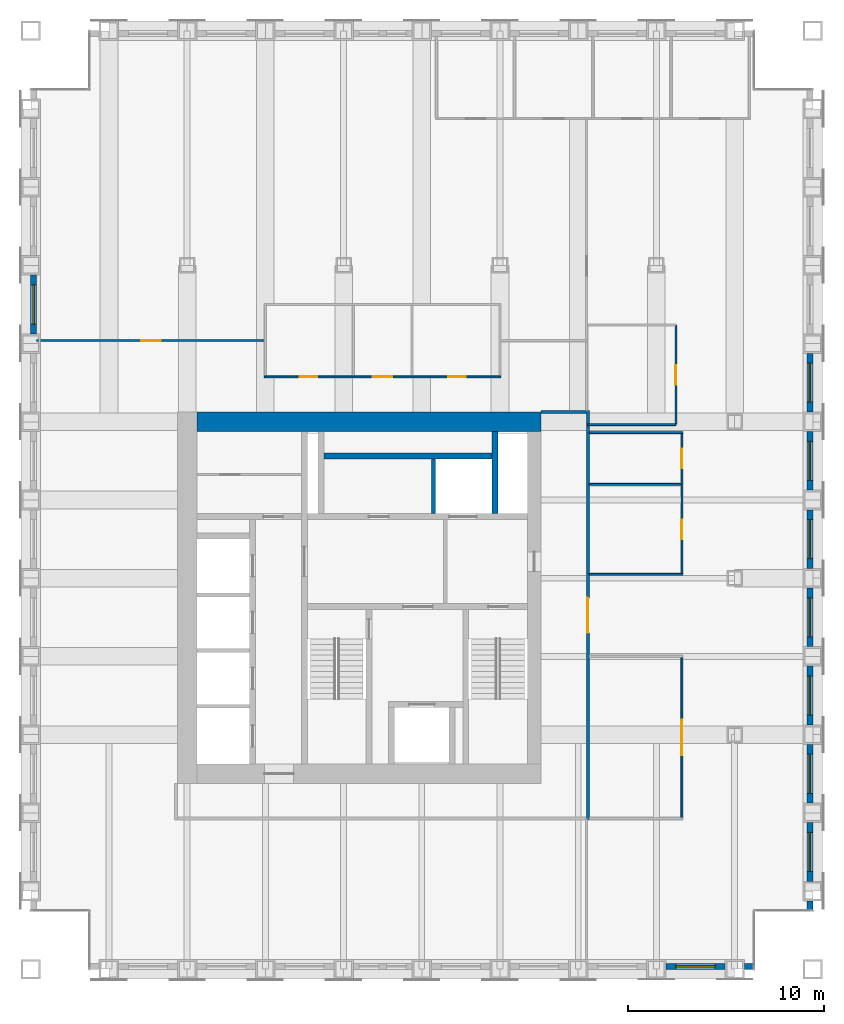
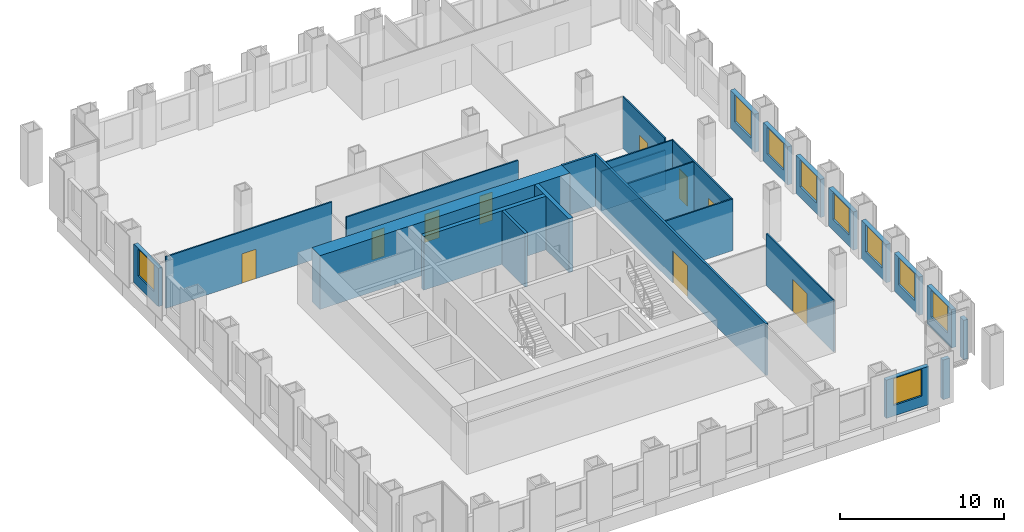
# One storey, part 10 of 13: 26 walls, 9 doors, 9 windows, 18 openings.
"""IFC4 building model written with IfcOpenShell, lengths in metres."""

from ifc_helpers import new_model, si_unit, direction, frame, frame_2d, origin, place, context, subcontext, project, spatial, rectangle, extrude, material, layer, layer_set, type_object, element, fill, save


model = new_model("IFC4")

# Units and contexts
model_context = context("Model", 3, precision=1e-05, world=origin(), true_north=direction((0.0, 1.0)))
body_context = subcontext(model_context, "Body", "Model", "MODEL_VIEW")
ifc_project = project(units=[si_unit("LENGTHUNIT", "METRE"), si_unit("AREAUNIT", "SQUARE_METRE"), si_unit("VOLUMEUNIT", "CUBIC_METRE"), si_unit("PLANEANGLEUNIT", "RADIAN"), si_unit("MASSUNIT", "GRAM", prefix="KILO")], contexts=[model_context])

# Site, building, storey
site_placement = place(None, origin())
site = spatial("IfcSite", under=ifc_project, at=site_placement, CompositionType="ELEMENT")
building_placement = place(site_placement, origin())
building = spatial("IfcBuilding", under=site, at=building_placement, Name="Rimbunsela Tower", CompositionType="ELEMENT")
storey_placement = place(building_placement, frame((0.0, 0.0, 222.199951171875)))
storey = spatial("IfcBuildingStorey", under=building, at=storey_placement, Name="L53", CompositionType="ELEMENT", Elevation=222.199951171875)

# Walls
ifc_material_1 = material(Name="Concrete fc' 80 MPa", Category="concrete")
ifc_layer_1 = layer(ifc_material_1, 0.300048828125)
ifc_layer_set_1 = layer_set([ifc_layer_1], Name="Core internal wall 300")
wall_type_1 = type_object("IfcWallType", Name="Core internal wall 300", PredefinedType="SHEAR", material=ifc_layer_set_1)
wall_1_placement = place(storey_placement, frame((33.75, 31.300048828125, -0.14990234375), z_axis=(0.0, 0.0, 1.0), x_axis=(0.0, 1.0, 0.0)))
element("IfcWall", 1, at=wall_1_placement, inside=storey, type_object=wall_type_1, Name="Riser wall", PredefinedType="SHEAR", context=body_context, shape_type="SweptSolid", body=[
    extrude(rectangle(XDim=4.199951171875, YDim=0.300048828125, at=frame_2d((2.10009765625, 0.0))), origin(), (0.0, 0.0, 1.0), 4.0),
])
wall_2_placement = place(storey_placement, frame((25.0, 34.25, -0.14990234375), z_axis=(0.0, 0.0, 1.0), x_axis=(1.0, 0.0, 0.0)))
element("IfcWall", 2, at=wall_2_placement, inside=storey, type_object=wall_type_1, Name="Lift shaft rear north", PredefinedType="SHEAR", context=body_context, shape_type="SweptSolid", body=[
    extrude(rectangle(XDim=8.60009765625, YDim=0.300048828125, at=frame_2d((4.300048828125, 0.0))), origin(), (0.0, 0.0, 1.0), 4.0),
])
ifc_material_2 = material(Name="Concrete fc' 80 MPa", Category="concrete")
ifc_layer_2 = layer(ifc_material_2, 1.0)
ifc_layer_set_2 = layer_set([ifc_layer_2], Name="Core wall 1000")
wall_type_2 = type_object("IfcWallType", Name="Core wall 1000", PredefinedType="SHEAR", material=ifc_layer_set_2)
wall_3_placement = place(storey_placement, frame((18.5, 36.0, -0.14990234375), z_axis=(0.0, 0.0, 1.0), x_axis=(1.0, 0.0, 0.0)))
element("IfcWall", 3, at=wall_3_placement, inside=storey, type_object=wall_type_2, Name="Core wall north", PredefinedType="SHEAR", context=body_context, shape_type="SweptSolid", body=[
    extrude(rectangle(XDim=17.60009765625, YDim=1.0, at=frame_2d((8.800048828125, 0.0))), origin(), (0.0, 0.0, 1.0), 4.0),
])
ifc_material_3 = material(Name="Concrete blockwork", Category="masonry")
ifc_layer_3 = layer(ifc_material_3, 0.199951171875)
ifc_layer_set_3 = layer_set([ifc_layer_3], Name="Lift shaft wall 200")
wall_type_3 = type_object("IfcWallType", Name="Lift shaft wall 200", PredefinedType="SOLIDWALL", material=ifc_layer_set_3)
wall_4_placement = place(storey_placement, frame((30.60009765625, 31.300048828125, -0.14990234375), z_axis=(0.0, 0.0, 1.0), x_axis=(0.0, 1.0, 0.0)))
element("IfcWall", 4, at=wall_4_placement, inside=storey, type_object=wall_type_3, Name="Lift shaft separation", PredefinedType="SOLIDWALL", context=body_context, shape_type="SweptSolid", body=[
    extrude(rectangle(XDim=2.800048828125, YDim=0.199951171875, at=frame_2d((1.39990234375, 0.0))), origin(), (0.0, 0.0, 1.0), 4.0),
])
ifc_material_4 = material(Name="Gypsum board on steel studs", Category="steel")
ifc_layer_4 = layer(ifc_material_4, 0.10009765625)
ifc_layer_set_4 = layer_set([ifc_layer_4], Name="Office partition 100")
wall_type_4 = type_object("IfcWallType", Name="Office partition 100", PredefinedType="PARTITIONING", material=ifc_layer_set_4)
wall_5_placement = place(storey_placement, frame((38.574951171875, 28.199951171875, 0.0), z_axis=(0.0, 0.0, 1.0), x_axis=(1.0, 0.0, 0.0)))
element("IfcWall", 5, at=wall_5_placement, inside=storey, type_object=wall_type_4, Name="Office partition", PredefinedType="PARTITIONING", context=body_context, shape_type="SweptSolid", body=[
    extrude(rectangle(XDim=4.775146484375, YDim=0.10009765625, at=frame_2d((2.3876953125, 0.0))), origin(), (0.0, 0.0, 1.0), 3.85009765625),
])
wall_6_placement = place(storey_placement, frame((38.574951171875, 32.800048828125, 0.0), z_axis=(0.0, 0.0, 1.0), x_axis=(1.0, 0.0, 0.0)))
element("IfcWall", 6, at=wall_6_placement, inside=storey, type_object=wall_type_4, Name="Office partition", PredefinedType="PARTITIONING", context=body_context, shape_type="SweptSolid", body=[
    extrude(rectangle(XDim=4.675048828125, YDim=0.10009765625, at=frame_2d((2.33740234375, 0.0))), origin(), (0.0, 0.0, 1.0), 3.85009765625),
])
wall_7_placement = place(storey_placement, frame((38.574951171875, 35.449951171875, 0.0), z_axis=(0.0, 0.0, 1.0), x_axis=(1.0, 0.0, 0.0)))
element("IfcWall", 7, at=wall_7_placement, inside=storey, type_object=wall_type_4, Name="Office partition", PredefinedType="PARTITIONING", context=body_context, shape_type="SweptSolid", body=[
    extrude(rectangle(XDim=4.775146484375, YDim=0.10009765625, at=frame_2d((2.3876953125, 0.0))), origin(), (0.0, 0.0, 1.0), 3.85009765625),
])

# Wall, opening, door
wall_8_placement = place(storey_placement, frame((43.300048828125, 15.75, 0.0), z_axis=(0.0, 0.0, 1.0), x_axis=(0.0, 1.0, 0.0)))
wall_8 = element("IfcWall", 8, at=wall_8_placement, inside=storey, type_object=wall_type_4, Name="Office partition", PredefinedType="PARTITIONING", context=body_context, shape_type="SweptSolid", body=[
    extrude(rectangle(XDim=8.199951171875, YDim=0.10009765625, at=frame_2d((4.10009765625, 0.0))), origin(), (0.0, 0.0, 1.0), 3.85009765625),
])
opening_1_placement = place(wall_8_placement, frame((3.199951171875, 0.0, 0.0)))
opening_1 = element("IfcOpeningElement", 9, at=opening_1_placement, cuts=wall_8, Name="Opening D18", PredefinedType="OPENING", context=body_context, shape_type="SweptSolid", body=[
    extrude(rectangle(XDim=1.800048828125, YDim=2.39990234375, at=frame_2d((0.89990234375, 1.199951171875))), frame((0.0, 0.06005859375, 0.0), z_axis=(0.0, -1.0, 0.0), x_axis=(1.0, 0.0, 0.0)), (0.0, 0.0, 1.0), 0.1201171875),
])
ifc_material_5 = material(Name="Glazed aluminium door", Category="aluminium")
door_type_1 = type_object("IfcDoorType", Name="Boardroom door 1800 glazed", OperationType="DOUBLE_DOOR_DOUBLE_SWING", PredefinedType="DOOR", material=ifc_material_5)
door_1_placement = place(opening_1_placement, origin())
door_1 = element("IfcDoor", 10, at=door_1_placement, inside=storey, type_object=door_type_1, Name="Boardroom door", OperationType="DOUBLE_DOOR_DOUBLE_SWING", OverallHeight=2.39990234375, OverallWidth=1.800048828125, PredefinedType="DOOR", context=body_context, shape_type="SweptSolid", body=[
    extrude(rectangle(XDim=1.800048828125, YDim=2.39990234375, at=frame_2d((0.89990234375, 1.199951171875))), frame((0.0, 0.02490234375, 0.0), z_axis=(0.0, -1.0, 0.0), x_axis=(1.0, 0.0, 0.0)), (0.0, 0.0, 1.0), 0.050048828125),
])
fill(opening_1, door_1)

# Wall, openings, doors
wall_9_placement = place(storey_placement, frame((43.300048828125, 28.25, 0.0), z_axis=(0.0, 0.0, 1.0), x_axis=(0.0, 1.0, 0.0)))
wall_9 = element("IfcWall", 11, at=wall_9_placement, inside=storey, type_object=wall_type_4, Name="Office partition", PredefinedType="PARTITIONING", context=body_context, shape_type="SweptSolid", body=[
    extrude(rectangle(XDim=7.14990234375, YDim=0.10009765625, at=frame_2d((3.574951171875, 0.0))), origin(), (0.0, 0.0, 1.0), 3.85009765625),
])
opening_2_placement = place(wall_9_placement, frame((1.75, 0.0, 0.0)))
opening_2 = element("IfcOpeningElement", 12, at=opening_2_placement, cuts=wall_9, Name="Opening D16", PredefinedType="OPENING", context=body_context, shape_type="SweptSolid", body=[
    extrude(rectangle(XDim=1.0, YDim=2.199951171875, at=frame_2d((0.5, 1.10009765625))), frame((0.0, 0.06005859375, 0.0), z_axis=(0.0, -1.0, 0.0), x_axis=(1.0, 0.0, 0.0)), (0.0, 0.0, 1.0), 0.1201171875),
])
opening_3_placement = place(wall_9_placement, frame((5.375, 0.0, 0.0)))
opening_3 = element("IfcOpeningElement", 13, at=opening_3_placement, cuts=wall_9, Name="Opening D16", PredefinedType="OPENING", context=body_context, shape_type="SweptSolid", body=[
    extrude(rectangle(XDim=1.0, YDim=2.199951171875, at=frame_2d((0.5, 1.10009765625))), frame((0.0, 0.06005859375, 0.0), z_axis=(0.0, -1.0, 0.0), x_axis=(1.0, 0.0, 0.0)), (0.0, 0.0, 1.0), 0.1201171875),
])
ifc_material_6 = material(Name="Timber door", Category="wood")
door_type_2 = type_object("IfcDoorType", Name="Office door 1000", OperationType="SINGLE_SWING_LEFT", PredefinedType="DOOR", material=ifc_material_6)
door_2_placement = place(opening_2_placement, origin())
door_2 = element("IfcDoor", 14, at=door_2_placement, inside=storey, type_object=door_type_2, Name="Office door", OperationType="SINGLE_SWING_LEFT", OverallHeight=2.199951171875, OverallWidth=1.0, PredefinedType="DOOR", context=body_context, shape_type="SweptSolid", body=[
    extrude(rectangle(XDim=1.0, YDim=2.199951171875, at=frame_2d((0.5, 1.10009765625))), frame((0.0, 0.02490234375, 0.0), z_axis=(0.0, -1.0, 0.0), x_axis=(1.0, 0.0, 0.0)), (0.0, 0.0, 1.0), 0.050048828125),
])
fill(opening_2, door_2)
door_3_placement = place(opening_3_placement, origin())
door_3 = element("IfcDoor", 15, at=door_3_placement, inside=storey, type_object=door_type_2, Name="Office door", OperationType="SINGLE_SWING_LEFT", OverallHeight=2.199951171875, OverallWidth=1.0, PredefinedType="DOOR", context=body_context, shape_type="SweptSolid", body=[
    extrude(rectangle(XDim=1.0, YDim=2.199951171875, at=frame_2d((0.5, 1.10009765625))), frame((0.0, 0.02490234375, 0.0), z_axis=(0.0, -1.0, 0.0), x_axis=(1.0, 0.0, 0.0)), (0.0, 0.0, 1.0), 0.050048828125),
])
fill(opening_3, door_3)

# Wall, opening, door
wall_10_placement = place(storey_placement, frame((10.300048828125, 40.14990234375, 0.0), z_axis=(0.0, 0.0, 1.0), x_axis=(1.0, 0.0, 0.0)))
wall_10 = element("IfcWall", 16, at=wall_10_placement, inside=storey, type_object=wall_type_4, Name="Office partition", PredefinedType="PARTITIONING", context=body_context, shape_type="SweptSolid", body=[
    extrude(rectangle(XDim=11.699951171875, YDim=0.10009765625, at=frame_2d((5.85009765625, 0.0))), origin(), (0.0, 0.0, 1.0), 3.85009765625),
])
opening_4_placement = place(wall_10_placement, frame((5.35009765625, 0.0, 0.0)))
opening_4 = element("IfcOpeningElement", 17, at=opening_4_placement, cuts=wall_10, Name="Opening D17", PredefinedType="OPENING", context=body_context, shape_type="SweptSolid", body=[
    extrude(rectangle(XDim=1.0, YDim=2.199951171875, at=frame_2d((0.5, 1.10009765625))), frame((0.0, 0.06005859375, 0.0), z_axis=(0.0, -1.0, 0.0), x_axis=(1.0, 0.0, 0.0)), (0.0, 0.0, 1.0), 0.1201171875),
])
ifc_material_7 = material(Name="Glazed aluminium door", Category="aluminium")
door_type_3 = type_object("IfcDoorType", Name="Meeting room door 1000 glazed", OperationType="SINGLE_SWING_RIGHT", PredefinedType="DOOR", material=ifc_material_7)
door_4_placement = place(opening_4_placement, origin())
door_4 = element("IfcDoor", 18, at=door_4_placement, inside=storey, type_object=door_type_3, Name="Open office screen door", OperationType="SINGLE_SWING_RIGHT", OverallHeight=2.199951171875, OverallWidth=1.0, PredefinedType="DOOR", context=body_context, shape_type="SweptSolid", body=[
    extrude(rectangle(XDim=1.0, YDim=2.199951171875, at=frame_2d((0.5, 1.10009765625))), frame((0.0, 0.02490234375, 0.0), z_axis=(0.0, -1.0, 0.0), x_axis=(1.0, 0.0, 0.0)), (0.0, 0.0, 1.0), 0.050048828125),
])
fill(opening_4, door_4)

# Wall
wall_11_placement = place(storey_placement, frame((38.5, 35.85009765625, 0.0), z_axis=(0.0, 0.0, 1.0), x_axis=(1.0, 0.0, 0.0)))
element("IfcWall", 19, at=wall_11_placement, inside=storey, type_object=wall_type_4, Name="Office partition", PredefinedType="PARTITIONING", context=body_context, shape_type="SweptSolid", body=[
    extrude(rectangle(XDim=4.5, YDim=0.10009765625, at=frame_2d((2.25, 0.0))), origin(), (0.0, 0.0, 1.0), 2.949951171875),
])

# Wall, opening, door
wall_12_placement = place(storey_placement, frame((43.0, 35.85009765625, 0.0), z_axis=(0.0, 0.0, 1.0), x_axis=(0.0, 1.0, 0.0)))
wall_12 = element("IfcWall", 20, at=wall_12_placement, inside=storey, type_object=wall_type_4, Name="Office partition", PredefinedType="PARTITIONING", context=body_context, shape_type="SweptSolid", body=[
    extrude(rectangle(XDim=5.099853515625, YDim=0.10009765625, at=frame_2d((2.5498046875, 0.0))), origin(), (0.0, 0.0, 1.0), 3.85009765625),
])
opening_5_placement = place(wall_12_placement, frame((2.050048828125, 0.0, 0.0)))
opening_5 = element("IfcOpeningElement", 21, at=opening_5_placement, cuts=wall_12, Name="Opening D17", PredefinedType="OPENING", context=body_context, shape_type="SweptSolid", body=[
    extrude(rectangle(XDim=1.0, YDim=2.199951171875, at=frame_2d((0.5, 1.10009765625))), frame((0.0, 0.06005859375, 0.0), z_axis=(0.0, -1.0, 0.0), x_axis=(1.0, 0.0, 0.0)), (0.0, 0.0, 1.0), 0.1201171875),
])
door_5_placement = place(opening_5_placement, origin())
door_5 = element("IfcDoor", 22, at=door_5_placement, inside=storey, type_object=door_type_3, Name="Reception door", OperationType="SINGLE_SWING_RIGHT", OverallHeight=2.199951171875, OverallWidth=1.0, PredefinedType="DOOR", context=body_context, shape_type="SweptSolid", body=[
    extrude(rectangle(XDim=1.0, YDim=2.199951171875, at=frame_2d((0.5, 1.10009765625))), frame((0.0, 0.02490234375, 0.0), z_axis=(0.0, -1.0, 0.0), x_axis=(1.0, 0.0, 0.0)), (0.0, 0.0, 1.0), 0.050048828125),
])
fill(opening_5, door_5)

# Wall, opening, window
ifc_material_8 = material(Name="Precast concrete fc' 35 MPa", Category="concrete")
ifc_layer_5 = layer(ifc_material_8, 0.300048828125)
ifc_layer_set_5 = layer_set([ifc_layer_5], Name="Precast concrete fc' 35 MPa")
wall_type_5 = type_object("IfcWallType", Name="Precast facade panel 300", PredefinedType="ELEMENTEDWALL", material=ifc_layer_set_5)
wall_13_placement = place(storey_placement, frame((42.5, 8.14990234375, 0.0), z_axis=(0.0, 0.0, 1.0), x_axis=(1.0, 0.0, 0.0)))
wall_13 = element("IfcWall", 23, at=wall_13_placement, inside=storey, type_object=wall_type_5, Name="Facade panel S L53", PredefinedType="ELEMENTEDWALL", context=body_context, shape_type="SweptSolid", body=[
    extrude(rectangle(XDim=3.0, YDim=0.300048828125, at=frame_2d((1.5, 0.0))), origin(), (0.0, 0.0, 1.0), 2.85009765625),
])
opening_6_placement = place(wall_13_placement, frame((0.5, 0.0, 0.800048828125)))
opening_6 = element("IfcOpeningElement", 24, at=opening_6_placement, cuts=wall_13, Name="Opening W1", PredefinedType="OPENING", context=body_context, shape_type="SweptSolid", body=[
    extrude(rectangle(XDim=2.0, YDim=2.0, at=frame_2d((1.0, 1.0))), frame((0.0, 0.159912109375, 0.0), z_axis=(0.0, -1.0, 0.0), x_axis=(1.0, 0.0, 0.0)), (0.0, 0.0, 1.0), 0.320068359375),
])
ifc_material_9 = material(Name="Clear glass in aluminium frame", Category="aluminium")
window_type = type_object("IfcWindowType", Name="Window W1 2000x2000", PartitioningType="DOUBLE_PANEL_VERTICAL", PredefinedType="WINDOW", material=ifc_material_9)
window_1_placement = place(opening_6_placement, origin())
window_1 = element("IfcWindow", 25, at=window_1_placement, inside=storey, type_object=window_type, Name="Window L53", OverallHeight=2.0, OverallWidth=2.0, PartitioningType="SINGLE_PANEL", PredefinedType="WINDOW", context=body_context, shape_type="SweptSolid", body=[
    extrude(rectangle(XDim=2.0, YDim=2.0, at=frame_2d((1.0, 1.0))), frame((0.0, 0.030029296875, 0.0), z_axis=(0.0, -1.0, 0.0), x_axis=(1.0, 0.0, 0.0)), (0.0, 0.0, 1.0), 0.06005859375),
])
fill(opening_6, window_1)

# Walls
for number, where, z_axis, x_axis, name in (
    (26, (46.5, 8.14990234375, 0.0), (0.0, 0.0, 1.0), (1.0, 0.0, 0.0), "Facade panel S L53"),
    (27, (49.85009765625, 11.030029296875, 0.0), (0.0, 0.0, 1.0), (0.0, 1.0, 0.0), "Facade panel E L53"),
):
    element("IfcWall", number, at=place(storey_placement, frame(where, z_axis=z_axis, x_axis=x_axis)), inside=storey, type_object=wall_type_5, Name=name, PredefinedType="ELEMENTEDWALL", context=body_context, shape_type="SweptSolid", body=[
        extrude(rectangle(XDim=0.469970703125, YDim=0.300048828125, at=frame_2d((0.23486328125, 0.0))), origin(), (0.0, 0.0, 1.0), 2.949951171875),
    ])

# Wall, opening, window
wall_14_placement = place(storey_placement, frame((49.85009765625, 12.5, 0.0), z_axis=(0.0, 0.0, 1.0), x_axis=(0.0, 1.0, 0.0)))
wall_14 = element("IfcWall", 28, at=wall_14_placement, inside=storey, type_object=wall_type_5, Name="Facade panel E L53", PredefinedType="ELEMENTEDWALL", context=body_context, shape_type="SweptSolid", body=[
    extrude(rectangle(XDim=3.0, YDim=0.300048828125, at=frame_2d((1.5, 0.0))), origin(), (0.0, 0.0, 1.0), 2.85009765625),
])
opening_7_placement = place(wall_14_placement, frame((0.5, 0.0, 0.800048828125)))
opening_7 = element("IfcOpeningElement", 29, at=opening_7_placement, cuts=wall_14, Name="Opening W1", PredefinedType="OPENING", context=body_context, shape_type="SweptSolid", body=[
    extrude(rectangle(XDim=2.0, YDim=2.0, at=frame_2d((1.0, 1.0))), frame((0.0, 0.159912109375, 0.0), z_axis=(0.0, -1.0, 0.0), x_axis=(1.0, 0.0, 0.0)), (0.0, 0.0, 1.0), 0.320068359375),
])
window_2_placement = place(opening_7_placement, origin())
window_2 = element("IfcWindow", 30, at=window_2_placement, inside=storey, type_object=window_type, Name="Window L53", OverallHeight=2.0, OverallWidth=2.0, PartitioningType="SINGLE_PANEL", PredefinedType="WINDOW", context=body_context, shape_type="SweptSolid", body=[
    extrude(rectangle(XDim=2.0, YDim=2.0, at=frame_2d((1.0, 1.0))), frame((0.0, 0.030029296875, 0.0), z_axis=(0.0, -1.0, 0.0), x_axis=(1.0, 0.0, 0.0)), (0.0, 0.0, 1.0), 0.06005859375),
])
fill(opening_7, window_2)

wall_15_placement = place(storey_placement, frame((49.85009765625, 16.5, 0.0), z_axis=(0.0, 0.0, 1.0), x_axis=(0.0, 1.0, 0.0)))
wall_15 = element("IfcWall", 31, at=wall_15_placement, inside=storey, type_object=wall_type_5, Name="Facade panel E L53", PredefinedType="ELEMENTEDWALL", context=body_context, shape_type="SweptSolid", body=[
    extrude(rectangle(XDim=3.0, YDim=0.300048828125, at=frame_2d((1.5, 0.0))), origin(), (0.0, 0.0, 1.0), 2.85009765625),
])
opening_8_placement = place(wall_15_placement, frame((0.5, 0.0, 0.800048828125)))
opening_8 = element("IfcOpeningElement", 32, at=opening_8_placement, cuts=wall_15, Name="Opening W1", PredefinedType="OPENING", context=body_context, shape_type="SweptSolid", body=[
    extrude(rectangle(XDim=2.0, YDim=2.0, at=frame_2d((1.0, 1.0))), frame((0.0, 0.159912109375, 0.0), z_axis=(0.0, -1.0, 0.0), x_axis=(1.0, 0.0, 0.0)), (0.0, 0.0, 1.0), 0.320068359375),
])
window_3_placement = place(opening_8_placement, origin())
window_3 = element("IfcWindow", 33, at=window_3_placement, inside=storey, type_object=window_type, Name="Window L53", OverallHeight=2.0, OverallWidth=2.0, PartitioningType="SINGLE_PANEL", PredefinedType="WINDOW", context=body_context, shape_type="SweptSolid", body=[
    extrude(rectangle(XDim=2.0, YDim=2.0, at=frame_2d((1.0, 1.0))), frame((0.0, 0.030029296875, 0.0), z_axis=(0.0, -1.0, 0.0), x_axis=(1.0, 0.0, 0.0)), (0.0, 0.0, 1.0), 0.06005859375),
])
fill(opening_8, window_3)

wall_16_placement = place(storey_placement, frame((49.85009765625, 20.5, 0.0), z_axis=(0.0, 0.0, 1.0), x_axis=(0.0, 1.0, 0.0)))
wall_16 = element("IfcWall", 34, at=wall_16_placement, inside=storey, type_object=wall_type_5, Name="Facade panel E L53", PredefinedType="ELEMENTEDWALL", context=body_context, shape_type="SweptSolid", body=[
    extrude(rectangle(XDim=3.0, YDim=0.300048828125, at=frame_2d((1.5, 0.0))), origin(), (0.0, 0.0, 1.0), 2.85009765625),
])
opening_9_placement = place(wall_16_placement, frame((0.5, 0.0, 0.800048828125)))
opening_9 = element("IfcOpeningElement", 35, at=opening_9_placement, cuts=wall_16, Name="Opening W1", PredefinedType="OPENING", context=body_context, shape_type="SweptSolid", body=[
    extrude(rectangle(XDim=2.0, YDim=2.0, at=frame_2d((1.0, 1.0))), frame((0.0, 0.159912109375, 0.0), z_axis=(0.0, -1.0, 0.0), x_axis=(1.0, 0.0, 0.0)), (0.0, 0.0, 1.0), 0.320068359375),
])
window_4_placement = place(opening_9_placement, origin())
window_4 = element("IfcWindow", 36, at=window_4_placement, inside=storey, type_object=window_type, Name="Window L53", OverallHeight=2.0, OverallWidth=2.0, PartitioningType="SINGLE_PANEL", PredefinedType="WINDOW", context=body_context, shape_type="SweptSolid", body=[
    extrude(rectangle(XDim=2.0, YDim=2.0, at=frame_2d((1.0, 1.0))), frame((0.0, 0.030029296875, 0.0), z_axis=(0.0, -1.0, 0.0), x_axis=(1.0, 0.0, 0.0)), (0.0, 0.0, 1.0), 0.06005859375),
])
fill(opening_9, window_4)

wall_17_placement = place(storey_placement, frame((49.85009765625, 24.5, 0.0), z_axis=(0.0, 0.0, 1.0), x_axis=(0.0, 1.0, 0.0)))
wall_17 = element("IfcWall", 37, at=wall_17_placement, inside=storey, type_object=wall_type_5, Name="Facade panel E L53", PredefinedType="ELEMENTEDWALL", context=body_context, shape_type="SweptSolid", body=[
    extrude(rectangle(XDim=3.0, YDim=0.300048828125, at=frame_2d((1.5, 0.0))), origin(), (0.0, 0.0, 1.0), 2.85009765625),
])
opening_10_placement = place(wall_17_placement, frame((0.5, 0.0, 0.800048828125)))
opening_10 = element("IfcOpeningElement", 38, at=opening_10_placement, cuts=wall_17, Name="Opening W1", PredefinedType="OPENING", context=body_context, shape_type="SweptSolid", body=[
    extrude(rectangle(XDim=2.0, YDim=2.0, at=frame_2d((1.0, 1.0))), frame((0.0, 0.159912109375, 0.0), z_axis=(0.0, -1.0, 0.0), x_axis=(1.0, 0.0, 0.0)), (0.0, 0.0, 1.0), 0.320068359375),
])
window_5_placement = place(opening_10_placement, origin())
window_5 = element("IfcWindow", 39, at=window_5_placement, inside=storey, type_object=window_type, Name="Window L53", OverallHeight=2.0, OverallWidth=2.0, PartitioningType="SINGLE_PANEL", PredefinedType="WINDOW", context=body_context, shape_type="SweptSolid", body=[
    extrude(rectangle(XDim=2.0, YDim=2.0, at=frame_2d((1.0, 1.0))), frame((0.0, 0.030029296875, 0.0), z_axis=(0.0, -1.0, 0.0), x_axis=(1.0, 0.0, 0.0)), (0.0, 0.0, 1.0), 0.06005859375),
])
fill(opening_10, window_5)

wall_18_placement = place(storey_placement, frame((49.85009765625, 28.5, 0.0), z_axis=(0.0, 0.0, 1.0), x_axis=(0.0, 1.0, 0.0)))
wall_18 = element("IfcWall", 40, at=wall_18_placement, inside=storey, type_object=wall_type_5, Name="Facade panel E L53", PredefinedType="ELEMENTEDWALL", context=body_context, shape_type="SweptSolid", body=[
    extrude(rectangle(XDim=3.0, YDim=0.300048828125, at=frame_2d((1.5, 0.0))), origin(), (0.0, 0.0, 1.0), 2.85009765625),
])
opening_11_placement = place(wall_18_placement, frame((0.5, 0.0, 0.800048828125)))
opening_11 = element("IfcOpeningElement", 41, at=opening_11_placement, cuts=wall_18, Name="Opening W1", PredefinedType="OPENING", context=body_context, shape_type="SweptSolid", body=[
    extrude(rectangle(XDim=2.0, YDim=2.0, at=frame_2d((1.0, 1.0))), frame((0.0, 0.159912109375, 0.0), z_axis=(0.0, -1.0, 0.0), x_axis=(1.0, 0.0, 0.0)), (0.0, 0.0, 1.0), 0.320068359375),
])
window_6_placement = place(opening_11_placement, origin())
window_6 = element("IfcWindow", 42, at=window_6_placement, inside=storey, type_object=window_type, Name="Window L53", OverallHeight=2.0, OverallWidth=2.0, PartitioningType="SINGLE_PANEL", PredefinedType="WINDOW", context=body_context, shape_type="SweptSolid", body=[
    extrude(rectangle(XDim=2.0, YDim=2.0, at=frame_2d((1.0, 1.0))), frame((0.0, 0.030029296875, 0.0), z_axis=(0.0, -1.0, 0.0), x_axis=(1.0, 0.0, 0.0)), (0.0, 0.0, 1.0), 0.06005859375),
])
fill(opening_11, window_6)

wall_19_placement = place(storey_placement, frame((49.85009765625, 32.5, 0.0), z_axis=(0.0, 0.0, 1.0), x_axis=(0.0, 1.0, 0.0)))
wall_19 = element("IfcWall", 43, at=wall_19_placement, inside=storey, type_object=wall_type_5, Name="Facade panel E L53", PredefinedType="ELEMENTEDWALL", context=body_context, shape_type="SweptSolid", body=[
    extrude(rectangle(XDim=3.0, YDim=0.300048828125, at=frame_2d((1.5, 0.0))), origin(), (0.0, 0.0, 1.0), 2.85009765625),
])
opening_12_placement = place(wall_19_placement, frame((0.5, 0.0, 0.800048828125)))
opening_12 = element("IfcOpeningElement", 44, at=opening_12_placement, cuts=wall_19, Name="Opening W1", PredefinedType="OPENING", context=body_context, shape_type="SweptSolid", body=[
    extrude(rectangle(XDim=2.0, YDim=2.0, at=frame_2d((1.0, 1.0))), frame((0.0, 0.159912109375, 0.0), z_axis=(0.0, -1.0, 0.0), x_axis=(1.0, 0.0, 0.0)), (0.0, 0.0, 1.0), 0.320068359375),
])
window_7_placement = place(opening_12_placement, origin())
window_7 = element("IfcWindow", 45, at=window_7_placement, inside=storey, type_object=window_type, Name="Window L53", OverallHeight=2.0, OverallWidth=2.0, PartitioningType="SINGLE_PANEL", PredefinedType="WINDOW", context=body_context, shape_type="SweptSolid", body=[
    extrude(rectangle(XDim=2.0, YDim=2.0, at=frame_2d((1.0, 1.0))), frame((0.0, 0.030029296875, 0.0), z_axis=(0.0, -1.0, 0.0), x_axis=(1.0, 0.0, 0.0)), (0.0, 0.0, 1.0), 0.06005859375),
])
fill(opening_12, window_7)

wall_20_placement = place(storey_placement, frame((49.85009765625, 36.5, 0.0), z_axis=(0.0, 0.0, 1.0), x_axis=(0.0, 1.0, 0.0)))
wall_20 = element("IfcWall", 46, at=wall_20_placement, inside=storey, type_object=wall_type_5, Name="Facade panel E L53", PredefinedType="ELEMENTEDWALL", context=body_context, shape_type="SweptSolid", body=[
    extrude(rectangle(XDim=3.0, YDim=0.300048828125, at=frame_2d((1.5, 0.0))), origin(), (0.0, 0.0, 1.0), 2.85009765625),
])
opening_13_placement = place(wall_20_placement, frame((0.5, 0.0, 0.800048828125)))
opening_13 = element("IfcOpeningElement", 47, at=opening_13_placement, cuts=wall_20, Name="Opening W1", PredefinedType="OPENING", context=body_context, shape_type="SweptSolid", body=[
    extrude(rectangle(XDim=2.0, YDim=2.0, at=frame_2d((1.0, 1.0))), frame((0.0, 0.159912109375, 0.0), z_axis=(0.0, -1.0, 0.0), x_axis=(1.0, 0.0, 0.0)), (0.0, 0.0, 1.0), 0.320068359375),
])
window_8_placement = place(opening_13_placement, origin())
window_8 = element("IfcWindow", 48, at=window_8_placement, inside=storey, type_object=window_type, Name="Window L53", OverallHeight=2.0, OverallWidth=2.0, PartitioningType="SINGLE_PANEL", PredefinedType="WINDOW", context=body_context, shape_type="SweptSolid", body=[
    extrude(rectangle(XDim=2.0, YDim=2.0, at=frame_2d((1.0, 1.0))), frame((0.0, 0.030029296875, 0.0), z_axis=(0.0, -1.0, 0.0), x_axis=(1.0, 0.0, 0.0)), (0.0, 0.0, 1.0), 0.06005859375),
])
fill(opening_13, window_8)

wall_21_placement = place(storey_placement, frame((10.14990234375, 43.5, 0.0), z_axis=(0.0, 0.0, 1.0), x_axis=(0.0, -1.0, 0.0)))
wall_21 = element("IfcWall", 49, at=wall_21_placement, inside=storey, type_object=wall_type_5, Name="Facade panel W L53", PredefinedType="ELEMENTEDWALL", context=body_context, shape_type="SweptSolid", body=[
    extrude(rectangle(XDim=3.0, YDim=0.300048828125, at=frame_2d((1.5, 0.0))), origin(), (0.0, 0.0, 1.0), 2.85009765625),
])
opening_14_placement = place(wall_21_placement, frame((0.5, 0.0, 0.800048828125)))
opening_14 = element("IfcOpeningElement", 50, at=opening_14_placement, cuts=wall_21, Name="Opening W1", PredefinedType="OPENING", context=body_context, shape_type="SweptSolid", body=[
    extrude(rectangle(XDim=2.0, YDim=2.0, at=frame_2d((1.0, 1.0))), frame((0.0, 0.159912109375, 0.0), z_axis=(0.0, -1.0, 0.0), x_axis=(1.0, 0.0, 0.0)), (0.0, 0.0, 1.0), 0.320068359375),
])
window_9_placement = place(opening_14_placement, origin())
window_9 = element("IfcWindow", 51, at=window_9_placement, inside=storey, type_object=window_type, Name="Window L53", OverallHeight=2.0, OverallWidth=2.0, PartitioningType="SINGLE_PANEL", PredefinedType="WINDOW", context=body_context, shape_type="SweptSolid", body=[
    extrude(rectangle(XDim=2.0, YDim=2.0, at=frame_2d((1.0, 1.0))), frame((0.0, 0.030029296875, 0.0), z_axis=(0.0, -1.0, 0.0), x_axis=(1.0, 0.0, 0.0)), (0.0, 0.0, 1.0), 0.06005859375),
])
fill(opening_14, window_9)

# Wall, opening, door
ifc_material_10 = material(Name="Fire-rated gypsum board on steel studs, EI 60", Category="steel")
ifc_layer_6 = layer(ifc_material_10, 0.14990234375)
ifc_layer_set_6 = layer_set([ifc_layer_6], Name="Rated corridor wall 150")
wall_type_6 = type_object("IfcWallType", Name="Rated corridor wall 150", PredefinedType="PARTITIONING", material=ifc_layer_set_6)
wall_22_placement = place(storey_placement, frame((38.5, 15.625, 0.0), z_axis=(0.0, 0.0, 1.0), x_axis=(0.0, 1.0, 0.0)))
wall_22 = element("IfcWall", 52, at=wall_22_placement, inside=storey, type_object=wall_type_6, Name="Corridor wall east", PredefinedType="PARTITIONING", context=body_context, shape_type="SweptSolid", body=[
    extrude(rectangle(XDim=20.949951171875, YDim=0.14990234375, at=frame_2d((10.47509765625, 0.0))), origin(), (0.0, 0.0, 1.0), 3.85009765625),
])
opening_15_placement = place(wall_22_placement, frame((9.574951171875, 0.0, 0.0)))
opening_15 = element("IfcOpeningElement", 53, at=opening_15_placement, cuts=wall_22, Name="Opening D09", PredefinedType="OPENING", context=body_context, shape_type="SweptSolid", body=[
    extrude(rectangle(XDim=1.800048828125, YDim=2.39990234375, at=frame_2d((0.89990234375, 1.199951171875))), frame((0.0, 0.0849609375, 0.0), z_axis=(0.0, -1.0, 0.0), x_axis=(1.0, 0.0, 0.0)), (0.0, 0.0, 1.0), 0.169921875),
])
ifc_material_11 = material(Name="Glazed aluminium door, fire rated", Category="aluminium")
door_type_4 = type_object("IfcDoorType", Name="Tenancy door 1800 glazed", OperationType="DOUBLE_DOOR_DOUBLE_SWING", PredefinedType="DOOR", material=ifc_material_11)
door_6_placement = place(opening_15_placement, origin())
door_6 = element("IfcDoor", 54, at=door_6_placement, inside=storey, type_object=door_type_4, Name="Tenancy door", OperationType="DOUBLE_DOOR_DOUBLE_SWING", OverallHeight=2.39990234375, OverallWidth=1.800048828125, PredefinedType="DOOR", context=body_context, shape_type="SweptSolid", body=[
    extrude(rectangle(XDim=1.800048828125, YDim=2.39990234375, at=frame_2d((0.89990234375, 1.199951171875))), frame((0.0, 0.02490234375, 0.0), z_axis=(0.0, -1.0, 0.0), x_axis=(1.0, 0.0, 0.0)), (0.0, 0.0, 1.0), 0.050048828125),
])
fill(opening_15, door_6)

# Wall
wall_23_placement = place(storey_placement, frame((36.10009765625, 36.5, 0.0), z_axis=(0.0, 0.0, 1.0), x_axis=(1.0, 0.0, 0.0)))
element("IfcWall", 55, at=wall_23_placement, inside=storey, type_object=wall_type_6, Name="Corridor end wall north", PredefinedType="PARTITIONING", context=body_context, shape_type="SweptSolid", body=[
    extrude(rectangle(XDim=2.324951171875, YDim=0.14990234375, at=frame_2d((1.16259765625, 0.0))), origin(), (0.0, 0.0, 1.0), 3.85009765625),
])

# Wall, openings, doors
ifc_material_12 = material(Name="Concrete blockwork", Category="masonry")
ifc_layer_7 = layer(ifc_material_12, 0.10009765625)
ifc_layer_set_7 = layer_set([ifc_layer_7], Name="Toilet partition 100")
wall_type_7 = type_object("IfcWallType", Name="Toilet partition 100", PredefinedType="PARTITIONING", material=ifc_layer_set_7)
wall_24_placement = place(storey_placement, frame((21.949951171875, 38.300048828125, 0.0), z_axis=(0.0, 0.0, 1.0), x_axis=(1.0, 0.0, 0.0)))
wall_24 = element("IfcWall", 56, at=wall_24_placement, inside=storey, type_object=wall_type_7, Name="Toilet block wall south", PredefinedType="PARTITIONING", context=body_context, shape_type="SweptSolid", body=[
    extrude(rectangle(XDim=12.10009765625, YDim=0.10009765625, at=frame_2d((6.050048828125, 0.0))), origin(), (0.0, 0.0, 1.0), 3.85009765625),
])
opening_16_placement = place(wall_24_placement, frame((1.800048828125, 0.0, 0.0)))
opening_16 = element("IfcOpeningElement", 57, at=opening_16_placement, cuts=wall_24, Name="Opening D04", PredefinedType="OPENING", context=body_context, shape_type="SweptSolid", body=[
    extrude(rectangle(XDim=0.89990234375, YDim=2.10009765625, at=frame_2d((0.449951171875, 1.050048828125))), frame((0.0, 0.06005859375, 0.0), z_axis=(0.0, -1.0, 0.0), x_axis=(1.0, 0.0, 0.0)), (0.0, 0.0, 1.0), 0.1201171875),
])
opening_17_placement = place(wall_24_placement, frame((5.550048828125, 0.0, 0.0)))
opening_17 = element("IfcOpeningElement", 58, at=opening_17_placement, cuts=wall_24, Name="Opening D05", PredefinedType="OPENING", context=body_context, shape_type="SweptSolid", body=[
    extrude(rectangle(XDim=1.0, YDim=2.10009765625, at=frame_2d((0.5, 1.050048828125))), frame((0.0, 0.06005859375, 0.0), z_axis=(0.0, -1.0, 0.0), x_axis=(1.0, 0.0, 0.0)), (0.0, 0.0, 1.0), 0.1201171875),
])
opening_18_placement = place(wall_24_placement, frame((9.39990234375, 0.0, 0.0)))
opening_18 = element("IfcOpeningElement", 59, at=opening_18_placement, cuts=wall_24, Name="Opening D04", PredefinedType="OPENING", context=body_context, shape_type="SweptSolid", body=[
    extrude(rectangle(XDim=0.89990234375, YDim=2.10009765625, at=frame_2d((0.449951171875, 1.050048828125))), frame((0.0, 0.06005859375, 0.0), z_axis=(0.0, -1.0, 0.0), x_axis=(1.0, 0.0, 0.0)), (0.0, 0.0, 1.0), 0.1201171875),
])
ifc_material_13 = material(Name="Timber door", Category="wood")
door_type_5 = type_object("IfcDoorType", Name="Accessible WC door 1000", OperationType="SLIDING_TO_LEFT", PredefinedType="DOOR", material=ifc_material_13)
door_7_placement = place(opening_17_placement, origin())
door_7 = element("IfcDoor", 60, at=door_7_placement, inside=storey, type_object=door_type_5, Name="Accessible WC door", OperationType="SLIDING_TO_LEFT", OverallHeight=2.10009765625, OverallWidth=1.0, PredefinedType="DOOR", context=body_context, shape_type="SweptSolid", body=[
    extrude(rectangle(XDim=1.0, YDim=2.10009765625, at=frame_2d((0.5, 1.050048828125))), frame((0.0, 0.02490234375, 0.0), z_axis=(0.0, -1.0, 0.0), x_axis=(1.0, 0.0, 0.0)), (0.0, 0.0, 1.0), 0.050048828125),
])
fill(opening_17, door_7)
ifc_material_14 = material(Name="Timber door", Category="wood")
door_type_6 = type_object("IfcDoorType", Name="Toilet door 900", OperationType="SINGLE_SWING_LEFT", PredefinedType="DOOR", material=ifc_material_14)
door_8_placement = place(opening_16_placement, origin())
door_8 = element("IfcDoor", 61, at=door_8_placement, inside=storey, type_object=door_type_6, Name="Female WC door", OperationType="SINGLE_SWING_LEFT", OverallHeight=2.10009765625, OverallWidth=0.89990234375, PredefinedType="DOOR", context=body_context, shape_type="SweptSolid", body=[
    extrude(rectangle(XDim=0.89990234375, YDim=2.10009765625, at=frame_2d((0.449951171875, 1.050048828125))), frame((0.0, 0.02490234375, 0.0), z_axis=(0.0, -1.0, 0.0), x_axis=(1.0, 0.0, 0.0)), (0.0, 0.0, 1.0), 0.050048828125),
])
fill(opening_16, door_8)
door_9_placement = place(opening_18_placement, origin())
door_9 = element("IfcDoor", 62, at=door_9_placement, inside=storey, type_object=door_type_6, Name="Male WC door", OperationType="SINGLE_SWING_LEFT", OverallHeight=2.10009765625, OverallWidth=0.89990234375, PredefinedType="DOOR", context=body_context, shape_type="SweptSolid", body=[
    extrude(rectangle(XDim=0.89990234375, YDim=2.10009765625, at=frame_2d((0.449951171875, 1.050048828125))), frame((0.0, 0.02490234375, 0.0), z_axis=(0.0, -1.0, 0.0), x_axis=(1.0, 0.0, 0.0)), (0.0, 0.0, 1.0), 0.050048828125),
])
fill(opening_18, door_9)

save(model, "model.ifc")
